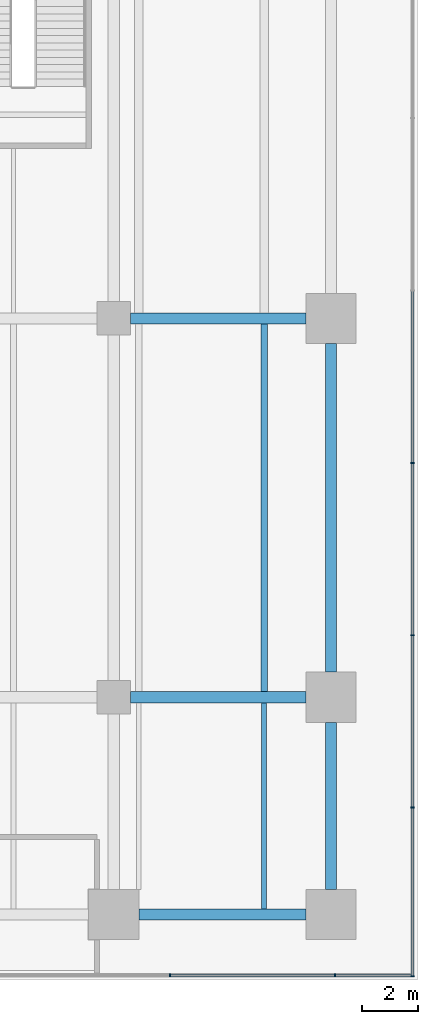
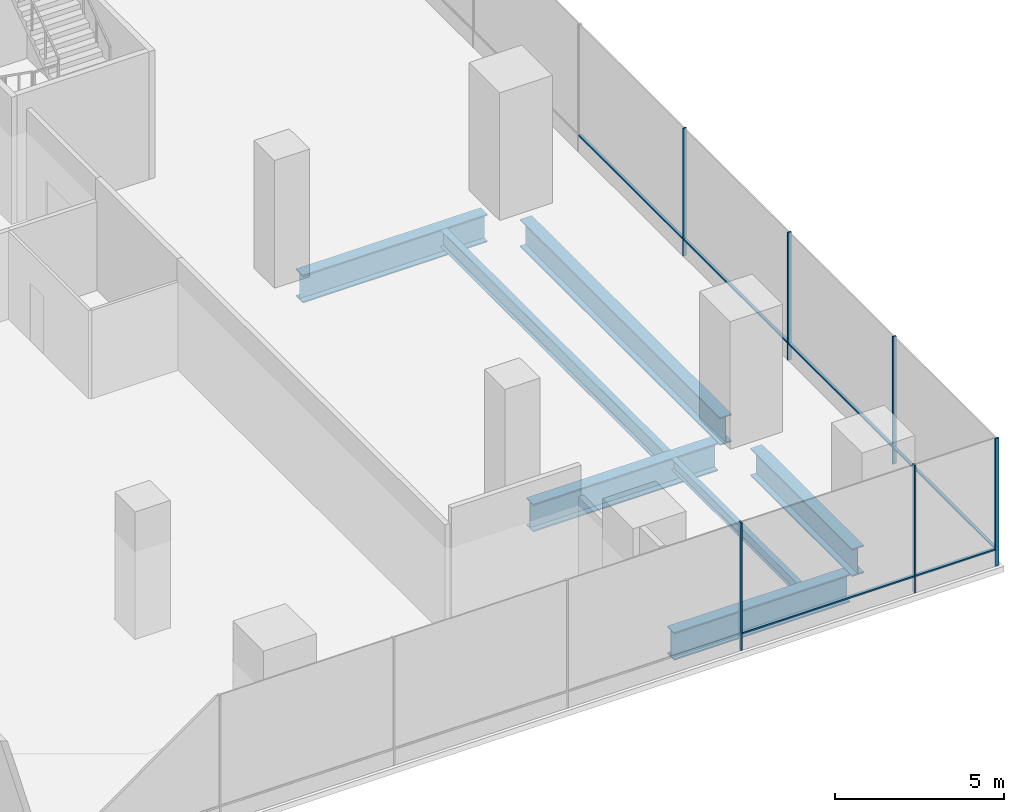
# One storey, part 15 of 28: 12 members, 7 beams, 2 elements without a shape of their own.
"""IFC4 building model written with IfcOpenShell, lengths in metres."""

from ifc_helpers import new_model, si_unit, direction, frame, origin, origin_2d, place, context, subcontext, project, spatial, rectangle, i_section, extrude, material, layer, layer_set, material_profile, profile_set, type_object, element, aggregate, save


model = new_model("IFC4")

# Units and contexts
model_context = context("Model", 3, precision=1e-05, world=origin(), true_north=direction((0.0, 1.0)))
body_context = subcontext(model_context, "Body", "Model", "MODEL_VIEW")
ifc_project = project(units=[si_unit("LENGTHUNIT", "METRE"), si_unit("AREAUNIT", "SQUARE_METRE"), si_unit("VOLUMEUNIT", "CUBIC_METRE"), si_unit("PLANEANGLEUNIT", "RADIAN"), si_unit("MASSUNIT", "GRAM", prefix="KILO")], contexts=[model_context])

# Site, building, storey
site_placement = place(None, origin())
site = spatial("IfcSite", under=ifc_project, at=site_placement, CompositionType="ELEMENT")
building_placement = place(site_placement, origin())
building = spatial("IfcBuilding", under=site, at=building_placement, Name="Rattan Terrace Tower", CompositionType="ELEMENT")
storey_placement = place(building_placement, frame((0.0, 0.0, 22.199951171875)))
storey = spatial("IfcBuildingStorey", under=building, at=storey_placement, Name="L04", CompositionType="ELEMENT", Elevation=22.199951171875)

# Beams
ifc_material_1 = material(Name="Steel S355", Category="steel")
ifc_material_profile_1 = material_profile(ifc_material_1, i_section(OverallWidth=0.179931640625, OverallDepth=0.39990234375, WebThickness=0.008544921875, FlangeThickness=0.013427734375, FilletRadius=0.02099609375, at=origin_2d()), Name="IPE 400")
ifc_profile_set_1 = profile_set([ifc_material_profile_1], Name="Steel S355")
beam_type_1 = type_object("IfcBeamType", Name="Frame floor beam IPE 400", PredefinedType="JOIST", material=ifc_profile_set_1)
beam_1_placement = place(storey_placement, frame((31.5, -34.699951171875, -0.39990234375), z_axis=(0.0, 1.0, 0.0), x_axis=(-1.0, 0.0, 0.0)))
element("IfcBeam", 1, at=beam_1_placement, inside=storey, type_object=beam_type_1, Name="bm-L04-012", PredefinedType="JOIST", context=body_context, shape_type="SweptSolid", body=[
    extrude(i_section(OverallWidth=0.179931640625, OverallDepth=0.39990234375, WebThickness=0.008544921875, FlangeThickness=0.013427734375, FilletRadius=0.02099609375, at=origin_2d()), origin(), (0.0, 0.0, 1.0), 7.39990234375),
])
ifc_material_2 = material(Name="Steel S355", Category="steel")
ifc_material_profile_2 = material_profile(ifc_material_2, i_section(OverallWidth=0.22412109375, OverallDepth=0.610107421875, WebThickness=0.014892578125, FlangeThickness=0.02392578125, FilletRadius=0.02392578125, at=origin_2d()), Name="IPE O 600")
ifc_profile_set_2 = profile_set([ifc_material_profile_2], Name="Steel S355")
beam_type_2 = type_object("IfcBeamType", Name="Frame floor beam IPE O 600", PredefinedType="JOIST", material=ifc_profile_set_2)
beam_2_placement = place(storey_placement, frame((31.5, -26.89990234375, -0.5048828125), z_axis=(0.0, 1.0, 0.0), x_axis=(-1.0, 0.0, 0.0)))
element("IfcBeam", 2, at=beam_2_placement, inside=storey, type_object=beam_type_2, Name="bm-L04-026", PredefinedType="JOIST", context=body_context, shape_type="SweptSolid", body=[
    extrude(i_section(OverallWidth=0.22412109375, OverallDepth=0.610107421875, WebThickness=0.014892578125, FlangeThickness=0.02392578125, FilletRadius=0.02392578125, at=origin_2d()), origin(), (0.0, 0.0, 1.0), 13.199951171875),
])
ifc_material_3 = material(Name="Steel S460", Category="steel")
ifc_material_profile_3 = material_profile(ifc_material_3, i_section(OverallWidth=0.39990234375, OverallDepth=1.0, WebThickness=0.01806640625, FlangeThickness=0.044921875, at=origin_2d()), Name="PG 1000x400-18-45")
ifc_profile_set_3 = profile_set([ifc_material_profile_3], Name="Steel S460")
beam_type_3 = type_object("IfcBeamType", Name="Frame podium girder PG 1000x400-18-45", PredefinedType="USERDEFINED", material=ifc_profile_set_3)
for number, where, z_axis, x_axis, name in (
    (3, (27.0, -34.89990234375, -0.699951171875), (1.0, 0.0, 0.0), (0.0, 1.0, 0.0), "gdr-L04-006"),
    (4, (33.89990234375, -34.0, -0.699951171875), (0.0, 1.0, 0.0), (-1.0, 0.0, 0.0), "gdr-L04-013"),
):
    element("IfcBeam", number, at=place(storey_placement, frame(where, z_axis=z_axis, x_axis=x_axis)), inside=storey, type_object=beam_type_3, Name=name, ObjectType="PODIUM GIRDER", PredefinedType="USERDEFINED", context=body_context, shape_type="SweptSolid", body=[
        extrude(i_section(OverallWidth=0.39990234375, OverallDepth=1.0, WebThickness=0.01806640625, FlangeThickness=0.044921875, at=origin_2d()), origin(), (0.0, 0.0, 1.0), 6.0),
    ])
beam_3_placement = place(storey_placement, frame((26.699951171875, -27.10009765625, -0.699951171875), z_axis=(1.0, 0.0, 0.0), x_axis=(0.0, 1.0, 0.0)))
element("IfcBeam", 5, at=beam_3_placement, inside=storey, type_object=beam_type_3, Name="gdr-L04-019", ObjectType="PODIUM GIRDER", PredefinedType="USERDEFINED", context=body_context, shape_type="SweptSolid", body=[
    extrude(i_section(OverallWidth=0.39990234375, OverallDepth=1.0, WebThickness=0.01806640625, FlangeThickness=0.044921875, at=origin_2d()), origin(), (0.0, 0.0, 1.0), 6.300048828125),
])
beam_4_placement = place(storey_placement, frame((33.89990234375, -26.199951171875, -0.699951171875), z_axis=(0.0, 1.0, 0.0), x_axis=(-1.0, 0.0, 0.0)))
element("IfcBeam", 6, at=beam_4_placement, inside=storey, type_object=beam_type_3, Name="gdr-L04-026", ObjectType="PODIUM GIRDER", PredefinedType="USERDEFINED", context=body_context, shape_type="SweptSolid", body=[
    extrude(i_section(OverallWidth=0.39990234375, OverallDepth=1.0, WebThickness=0.01806640625, FlangeThickness=0.044921875, at=origin_2d()), origin(), (0.0, 0.0, 1.0), 11.800048828125),
])
beam_5_placement = place(storey_placement, frame((26.699951171875, -13.5, -0.699951171875), z_axis=(1.0, 0.0, 0.0), x_axis=(0.0, 1.0, 0.0)))
element("IfcBeam", 7, at=beam_5_placement, inside=storey, type_object=beam_type_3, Name="gdr-L04-032", ObjectType="PODIUM GIRDER", PredefinedType="USERDEFINED", context=body_context, shape_type="SweptSolid", body=[
    extrude(i_section(OverallWidth=0.39990234375, OverallDepth=1.0, WebThickness=0.01806640625, FlangeThickness=0.044921875, at=origin_2d()), origin(), (0.0, 0.0, 1.0), 6.300048828125),
])

# Curtain wall, members
ifc_material_4 = material(Name="Aluminium and glass", Category="aluminium")
ifc_layer = layer(ifc_material_4, 0.1201171875)
ifc_layer_set = layer_set([ifc_layer], Name="Station Storefront Curtain Wall")
curtain_wall_type = type_object("IfcCurtainWallType", Name="Station Storefront Curtain Wall", PredefinedType="NOTDEFINED", material=ifc_layer_set)
curtain_wall_1_placement = place(storey_placement, origin())
curtain_wall_1 = element("IfcCurtainWall", 8, at=curtain_wall_1_placement, inside=storey, type_object=curtain_wall_type, Name="Storefront curtain wall L04-1", PredefinedType="NOTDEFINED")
ifc_material_5 = material(Name="Aluminium", Category="aluminium")
ifc_material_profile_4 = material_profile(ifc_material_5, rectangle(XDim=0.050048828125, YDim=0.1201171875, at=origin_2d()), Name="Aluminium 50x120")
ifc_profile_set_4 = profile_set([ifc_material_profile_4], Name="Aluminium")
member_type_1 = type_object("IfcMemberType", Name="Storefront CW Mullion 50x120", PredefinedType="MULLION", material=ifc_profile_set_4)
member_1_placement = place(storey_placement, frame((36.830078125, -37.114990234375, 0.0), z_axis=(0.0, 0.0, 1.0), x_axis=(0.0, 1.0, 0.0)))
member_1 = element("IfcMember", 9, at=member_1_placement, type_object=member_type_1, Name="Mullion cwl-L04-001.1", PredefinedType="MULLION", context=body_context, shape_type="SweptSolid", body=[
    extrude(rectangle(XDim=0.050048828125, YDim=0.1201171875, at=origin_2d()), origin(), (0.0, 0.0, 1.0), 4.60009765625),
])
member_2_placement = place(storey_placement, frame((36.830078125, -31.06201171875, 0.0), z_axis=(0.0, 0.0, 1.0), x_axis=(0.0, 1.0, 0.0)))
member_2 = element("IfcMember", 10, at=member_2_placement, type_object=member_type_1, Name="Mullion cwl-L04-001.2", PredefinedType="MULLION", context=body_context, shape_type="SweptSolid", body=[
    extrude(rectangle(XDim=0.050048828125, YDim=0.1201171875, at=origin_2d()), origin(), (0.0, 0.0, 1.0), 4.60009765625),
])
member_3_placement = place(storey_placement, frame((36.830078125, -24.8740234375, 0.0), z_axis=(0.0, 0.0, 1.0), x_axis=(0.0, 1.0, 0.0)))
member_3 = element("IfcMember", 11, at=member_3_placement, type_object=member_type_1, Name="Mullion cwl-L04-001.3", PredefinedType="MULLION", context=body_context, shape_type="SweptSolid", body=[
    extrude(rectangle(XDim=0.050048828125, YDim=0.1201171875, at=origin_2d()), origin(), (0.0, 0.0, 1.0), 4.60009765625),
])
member_4_placement = place(storey_placement, frame((36.830078125, -18.68603515625, 0.0), z_axis=(0.0, 0.0, 1.0), x_axis=(0.0, 1.0, 0.0)))
member_4 = element("IfcMember", 12, at=member_4_placement, type_object=member_type_1, Name="Mullion cwl-L04-001.4", PredefinedType="MULLION", context=body_context, shape_type="SweptSolid", body=[
    extrude(rectangle(XDim=0.050048828125, YDim=0.1201171875, at=origin_2d()), origin(), (0.0, 0.0, 1.0), 4.60009765625),
])

curtain_wall_2_placement = place(storey_placement, origin())
curtain_wall_2 = element("IfcCurtainWall", 13, at=curtain_wall_2_placement, inside=storey, type_object=curtain_wall_type, Name="Storefront curtain wall L04-4", PredefinedType="NOTDEFINED")
member_5_placement = place(storey_placement, frame((28.1201171875, -37.080078125, 0.0), z_axis=(0.0, 0.0, 1.0), x_axis=(1.0, 0.0, 0.0)))
member_5 = element("IfcMember", 14, at=member_5_placement, type_object=member_type_1, Name="Mullion cwl-L04-004.12", PredefinedType="MULLION", context=body_context, shape_type="SweptSolid", body=[
    extrude(rectangle(XDim=0.050048828125, YDim=0.1201171875, at=origin_2d()), origin(), (0.0, 0.0, 1.0), 4.60009765625),
])
member_6_placement = place(storey_placement, frame((34.0400390625, -37.080078125, 0.0), z_axis=(0.0, 0.0, 1.0), x_axis=(1.0, 0.0, 0.0)))
member_6 = element("IfcMember", 15, at=member_6_placement, type_object=member_type_1, Name="Mullion cwl-L04-004.13", PredefinedType="MULLION", context=body_context, shape_type="SweptSolid", body=[
    extrude(rectangle(XDim=0.050048828125, YDim=0.1201171875, at=origin_2d()), origin(), (0.0, 0.0, 1.0), 4.60009765625),
])

# Member
ifc_material_6 = material(Name="Aluminium", Category="aluminium")
ifc_material_profile_5 = material_profile(ifc_material_6, rectangle(XDim=0.10009765625, YDim=0.050048828125, at=origin_2d()), Name="Aluminium 100x50")
ifc_profile_set_5 = profile_set([ifc_material_profile_5], Name="Aluminium")
member_type_2 = type_object("IfcMemberType", Name="Storefront CW Transom 100x50", PredefinedType="USERDEFINED", material=ifc_profile_set_5)
member_7_placement = place(storey_placement, frame((36.830078125, -37.090087890625, 0.60009765625), z_axis=(0.0, 1.0, 0.0), x_axis=(-1.0, 0.0, 0.0)))
member_7 = element("IfcMember", 16, at=member_7_placement, type_object=member_type_2, Name="Transom cwl-L04-001.1", ObjectType="TRANSOM", PredefinedType="USERDEFINED", context=body_context, shape_type="SweptSolid", body=[
    extrude(rectangle(XDim=0.10009765625, YDim=0.050048828125, at=origin_2d()), origin(), (0.0, 0.0, 1.0), 6.003173828125),
])

member_8_placement = place(storey_placement, frame((36.830078125, -31.037109375, 0.60009765625), z_axis=(0.0, 1.0, 0.0), x_axis=(-1.0, 0.0, 0.0)))
member_8 = element("IfcMember", 17, at=member_8_placement, type_object=member_type_2, Name="Transom cwl-L04-001.2", ObjectType="TRANSOM", PredefinedType="USERDEFINED", context=body_context, shape_type="SweptSolid", body=[
    extrude(rectangle(XDim=0.10009765625, YDim=0.050048828125, at=origin_2d()), origin(), (0.0, 0.0, 1.0), 6.13818359375),
])

member_9_placement = place(storey_placement, frame((36.830078125, -24.84912109375, 0.60009765625), z_axis=(0.0, 1.0, 0.0), x_axis=(-1.0, 0.0, 0.0)))
member_9 = element("IfcMember", 18, at=member_9_placement, type_object=member_type_2, Name="Transom cwl-L04-001.3", ObjectType="TRANSOM", PredefinedType="USERDEFINED", context=body_context, shape_type="SweptSolid", body=[
    extrude(rectangle(XDim=0.10009765625, YDim=0.050048828125, at=origin_2d()), origin(), (0.0, 0.0, 1.0), 6.13818359375),
])

member_10_placement = place(storey_placement, frame((36.830078125, -18.660888671875, 0.60009765625), z_axis=(0.0, 1.0, 0.0), x_axis=(-1.0, 0.0, 0.0)))
member_10 = element("IfcMember", 19, at=member_10_placement, type_object=member_type_2, Name="Transom cwl-L04-001.4", ObjectType="TRANSOM", PredefinedType="USERDEFINED", context=body_context, shape_type="SweptSolid", body=[
    extrude(rectangle(XDim=0.10009765625, YDim=0.050048828125, at=origin_2d()), origin(), (0.0, 0.0, 1.0), 6.137939453125),
])

aggregate(curtain_wall_1, [member_1, member_2, member_3, member_4, member_7, member_8, member_9, member_10])

member_11_placement = place(storey_placement, frame((28.14501953125, -37.080078125, 0.60009765625), z_axis=(1.0, 0.0, 0.0), x_axis=(0.0, 1.0, 0.0)))
member_11 = element("IfcMember", 20, at=member_11_placement, type_object=member_type_2, Name="Transom cwl-L04-004.12", ObjectType="TRANSOM", PredefinedType="USERDEFINED", context=body_context, shape_type="SweptSolid", body=[
    extrude(rectangle(XDim=0.10009765625, YDim=0.050048828125, at=origin_2d()), origin(), (0.0, 0.0, 1.0), 5.869873046875),
])

member_12_placement = place(storey_placement, frame((34.06494140625, -37.080078125, 0.60009765625), z_axis=(1.0, 0.0, 0.0), x_axis=(0.0, 1.0, 0.0)))
member_12 = element("IfcMember", 21, at=member_12_placement, type_object=member_type_2, Name="Transom cwl-L04-004.13", ObjectType="TRANSOM", PredefinedType="USERDEFINED", context=body_context, shape_type="SweptSolid", body=[
    extrude(rectangle(XDim=0.10009765625, YDim=0.050048828125, at=origin_2d()), origin(), (0.0, 0.0, 1.0), 2.705078125),
])

aggregate(curtain_wall_2, [member_5, member_6, member_11, member_12])

save(model, "model.ifc")
